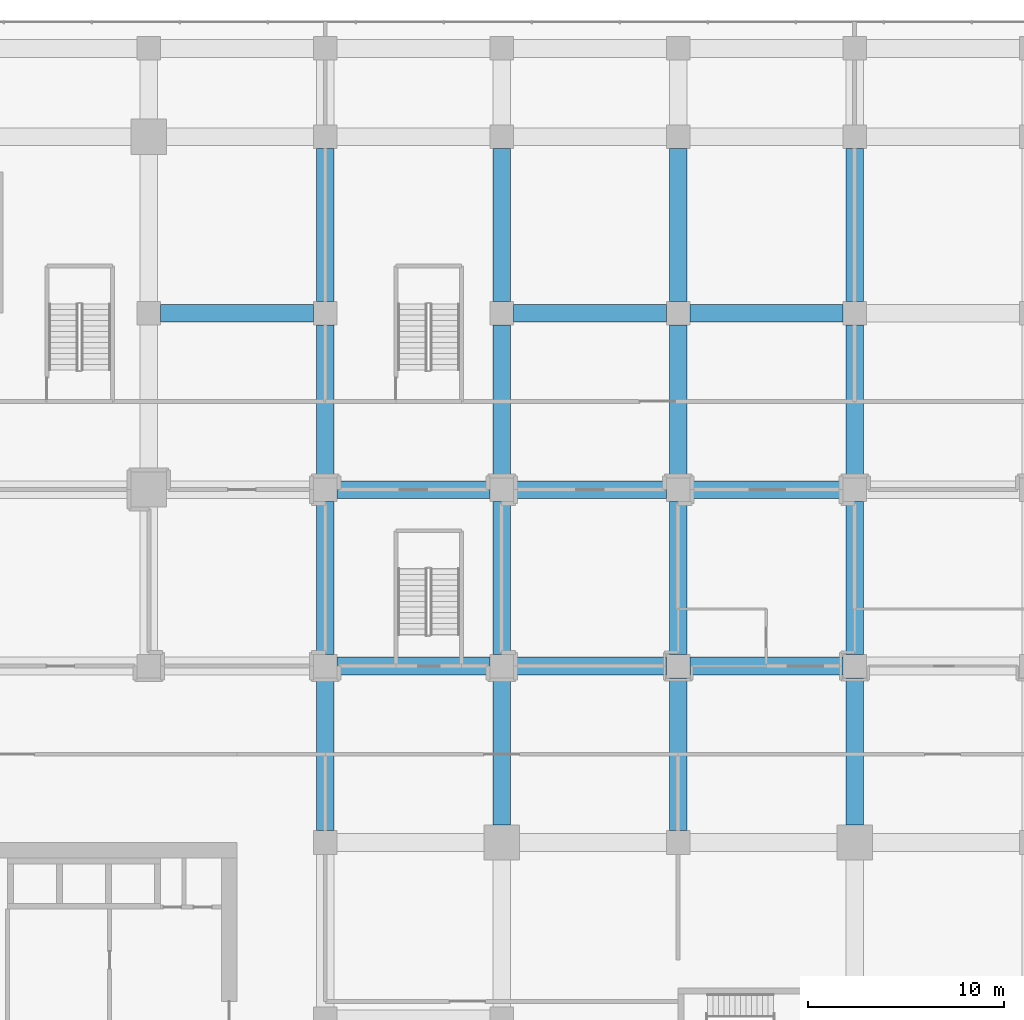
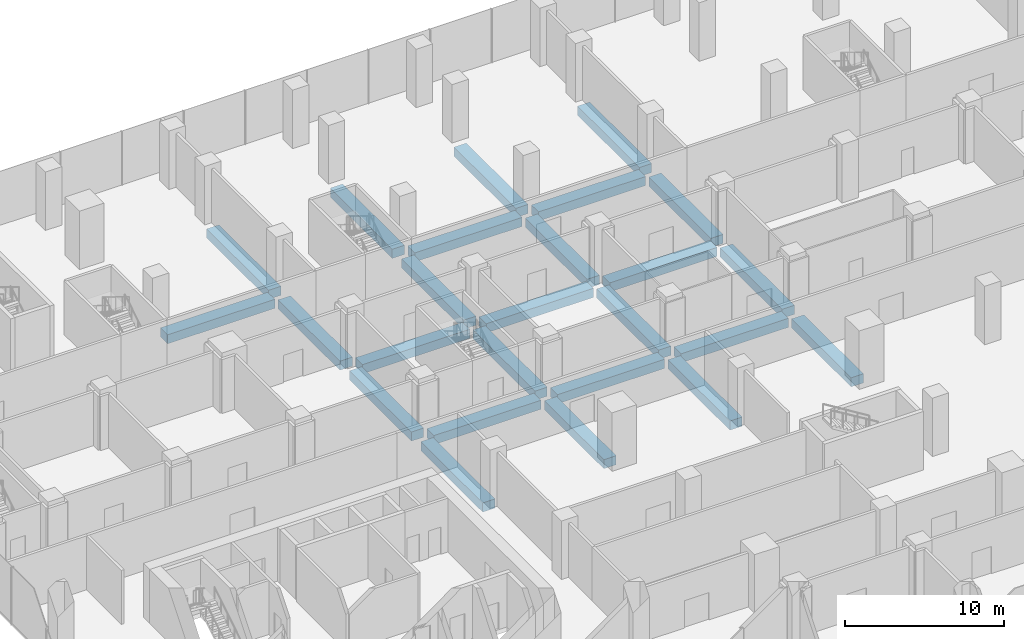
# One storey, part 12 of 43: 25 beams.
"""IFC4 building model written with IfcOpenShell, lengths in metres."""

import ifcopenshell
import ifcopenshell.guid

model = None  # the IFC model being written
_history = None  # IfcOwnerHistory: only IFC2X3 demands one
_inside = {}  # id of a spatial element -> (the spatial element, [elements in it])
_under = {}  # id of a project, library or spatial element -> (it, [spatial elements below it])
_declared = {}  # id of a project -> (the project, [libraries it declares])
_typed = {}  # id of a type object -> (the type object, [elements of that type])
_made_of = {}  # id of a material, layer set ... -> (it, [elements and type objects made of it])


def new_model(schema):
    """Start an empty IFC model of exactly this schema.

    Asked for "IFC4X3", IfcOpenShell would pick the latest addendum, in which some entities
    have other attributes; the version numbers below select the first issue.
    IFC2X3 requires an IfcOwnerHistory on every rooted entity: one is made here for all.
    """
    global model, _history
    if schema == "IFC4X3":
        model = ifcopenshell.file(schema_version=(4, 3, 0, 0))
    else:
        model = ifcopenshell.file(schema=schema)
    _inside.clear()
    _under.clear()
    _declared.clear()
    _typed.clear()
    _made_of.clear()
    _history = None
    if model.schema == "IFC2X3":
        org = make("IfcOrganization", Name="unknown")
        user = make(
            "IfcPersonAndOrganization",
            ThePerson=make("IfcPerson", FamilyName="unknown"),
            TheOrganization=org,
        )
        app = make(
            "IfcApplication",
            ApplicationDeveloper=org,
            Version="unknown",
            ApplicationFullName="unknown",
            ApplicationIdentifier="unknown",
        )
        _history = make(
            "IfcOwnerHistory",
            OwningUser=user,
            OwningApplication=app,
            ChangeAction="ADDED",
            CreationDate=0,
        )
    return model


def make(cls, **values):
    """One entity of the class cls with the attributes given. An attribute that is None is left unset."""
    return model.create_entity(
        cls, **{name: value for name, value in values.items() if value is not None}
    )


def rooted(cls, **values):
    """An entity with a GlobalId (a new one), such as an element, a storey or a relation."""
    return make(cls, GlobalId=ifcopenshell.guid.new(), OwnerHistory=_history, **values)


def si_unit(unit_type, name, prefix=None):
    """IfcSIUnit, for example si_unit("LENGTHUNIT", "METRE", prefix="MILLI")."""
    return make("IfcSIUnit", UnitType=unit_type, Prefix=prefix, Name=name)


def assignment(units):
    """IfcUnitAssignment: the units of a project."""
    return None if units is None else make("IfcUnitAssignment", Units=units)


def point(xyz):
    """IfcCartesianPoint."""
    return None if xyz is None else make("IfcCartesianPoint", Coordinates=xyz)


def direction(xyz):
    """IfcDirection."""
    return None if xyz is None else make("IfcDirection", DirectionRatios=xyz)


def frame(location, z_axis=None, x_axis=None):
    """IfcAxis2Placement3D, a coordinate frame: its origin and axes. An axis left out is left unset."""
    return make(
        "IfcAxis2Placement3D",
        Location=point(location),
        Axis=direction(z_axis),
        RefDirection=direction(x_axis),
    )


def frame_2d(location, x_axis=None):
    """IfcAxis2Placement2D, a coordinate frame in the plane: its origin and x axis."""
    return make(
        "IfcAxis2Placement2D", Location=point(location), RefDirection=direction(x_axis)
    )


def origin():
    """The frame at (0, 0, 0) with its axes left unset."""
    return frame((0.0, 0.0, 0.0))


def origin_2d():
    """The frame at (0, 0) in the plane with its x axis left unset."""
    return frame_2d((0.0, 0.0))


def place(relative_to, where):
    """IfcLocalPlacement: puts the frame where relative to a parent placement (None: the world)."""
    return make(
        "IfcLocalPlacement", PlacementRelTo=relative_to, RelativePlacement=where
    )


def context(
    kind, dimensions, precision=None, world=None, true_north=None, identifier=None
):
    """IfcGeometricRepresentationContext, for example the 3D "Model" context."""
    return make(
        "IfcGeometricRepresentationContext",
        ContextIdentifier=identifier,
        ContextType=kind,
        CoordinateSpaceDimension=dimensions,
        Precision=precision,
        WorldCoordinateSystem=world,
        TrueNorth=true_north,
    )


def subcontext(parent, identifier, kind, view, scale=None):
    """IfcGeometricRepresentationSubContext, for example "Body" below "Model"."""
    return make(
        "IfcGeometricRepresentationSubContext",
        ContextIdentifier=identifier,
        ContextType=kind,
        ParentContext=parent,
        TargetScale=scale,
        TargetView=view,
    )


def project(units=None, contexts=None):
    """IfcProject with its units and contexts."""
    return rooted(
        "IfcProject",
        Name="project",
        RepresentationContexts=contexts,
        UnitsInContext=assignment(units),
    )


def spatial(cls, under=None, at=None, **own):
    """A site, building, storey or space (cls), placed at a placement, below another one or the project."""
    s = rooted(cls, ObjectPlacement=at, **own)
    if under is not None:
        _under.setdefault(under.id(), (under, []))[1].append(s)
    return s


def profile(cls, at=None, kind="AREA", **sizes):
    """A parametric profile (cls). Its sizes go by their IFC names, for example OverallWidth=200.0."""
    return make(cls, ProfileType=kind, Position=at, **sizes)


def rectangle(**sizes):
    """IfcRectangleProfileDef."""
    return profile("IfcRectangleProfileDef", **sizes)


def extrude(swept, where, along, depth):
    """IfcExtrudedAreaSolid: the profile swept, set in the frame where, extruded along a direction by depth."""
    return make(
        "IfcExtrudedAreaSolid",
        SweptArea=swept,
        Position=where,
        ExtrudedDirection=direction(along),
        Depth=depth,
    )


def shape(context_of_items, identifier, shape_type, items):
    """IfcShapeRepresentation: the items that make up one representation, for example the "Body"."""
    return make(
        "IfcShapeRepresentation",
        ContextOfItems=context_of_items,
        RepresentationIdentifier=identifier,
        RepresentationType=shape_type,
        Items=items,
    )


def material(Name=None, Category=None):
    """IfcMaterial."""
    return make("IfcMaterial", Name=Name, Category=Category)


def material_profile(
    of_material, cross_section, Name=None, Category=None, Priority=None
):
    """IfcMaterialProfile: a cross section and its material."""
    return make(
        "IfcMaterialProfile",
        Name=Name,
        Material=of_material,
        Profile=cross_section,
        Priority=Priority,
        Category=Category,
    )


def profile_set(profiles, Name=None, composite=None):
    """IfcMaterialProfileSet."""
    return make(
        "IfcMaterialProfileSet",
        Name=Name,
        MaterialProfiles=profiles,
        CompositeProfile=composite,
    )


def made_of(thing, what):
    """Note that an element or type object is made of a material, layer set ...; save() writes the relation."""
    if what is not None:
        _made_of.setdefault(what.id(), (what, []))[1].append(thing)
    return thing


def type_object(cls, material=None, **own):
    """A type object (cls), such as IfcWallType, which elements share."""
    return made_of(rooted(cls, **own), material)


def element(
    cls,
    number,
    at=None,
    inside=None,
    cuts=None,
    type_object=None,
    material=None,
    context=None,
    identifier="Body",
    shape_type=None,
    held_by="IfcProductDefinitionShape",
    body=None,
    shapes=None,
    **own,
):
    """One element of the class cls, such as IfcWall. Its Tag is "e" and its number.

    at: its placement. inside: the storey or other place that contains it. cuts: it is an
    opening in that element (IfcRelVoidsElement). A single representation is given by context,
    identifier, shape_type and body (its items); several are given by shapes. held_by: the class
    of the entity that holds the representations. save() writes the other relations.
    """
    e = rooted(cls, Tag="e%d" % number, ObjectPlacement=at, **own)
    if body is not None:
        shapes = [shape(context, identifier, shape_type, body)]
    if shapes is not None:
        e.Representation = make(held_by, Representations=shapes)
    if inside is not None:
        _inside.setdefault(inside.id(), (inside, []))[1].append(e)
    if cuts is not None:
        rooted(
            "IfcRelVoidsElement", RelatingBuildingElement=cuts, RelatedOpeningElement=e
        )
    if type_object is not None:
        _typed.setdefault(type_object.id(), (type_object, []))[1].append(e)
    return made_of(e, material)


def aggregate(whole, parts):
    """IfcRelAggregates: a whole, such as a stair, and the parts it consists of."""
    return rooted("IfcRelAggregates", RelatingObject=whole, RelatedObjects=parts)


def save(model, path):
    """Write the relations noted so far, then the file.

    IfcRelAggregates (storeys below a building ...), IfcRelContainedInSpatialStructure (elements
    in a storey), IfcRelDefinesByType, IfcRelAssociatesMaterial and IfcRelDeclares: one each for
    every whole, place, type object, material and project.
    """
    for whole, parts in _under.values():
        aggregate(whole, parts)
    for where, things in _inside.values():
        rooted(
            "IfcRelContainedInSpatialStructure",
            RelatedElements=things,
            RelatingStructure=where,
        )
    for kind, things in _typed.values():
        rooted("IfcRelDefinesByType", RelatedObjects=things, RelatingType=kind)
    for what, things in _made_of.values():
        rooted("IfcRelAssociatesMaterial", RelatedObjects=things, RelatingMaterial=what)
    for by, libraries in _declared.values():
        rooted("IfcRelDeclares", RelatingContext=by, RelatedDefinitions=libraries)
    model.write(path)


model = new_model("IFC4")

# Units and contexts
model_context = context("Model", 3, precision=1e-05, world=origin(), true_north=direction((0.0, 1.0)))
body_context = subcontext(model_context, "Body", "Model", "MODEL_VIEW")
ifc_project = project(units=[si_unit("LENGTHUNIT", "METRE"), si_unit("AREAUNIT", "SQUARE_METRE"), si_unit("VOLUMEUNIT", "CUBIC_METRE"), si_unit("PLANEANGLEUNIT", "RADIAN"), si_unit("MASSUNIT", "GRAM", prefix="KILO")], contexts=[model_context])

# Site, building, storey
site_placement = place(None, origin())
site = spatial("IfcSite", under=ifc_project, at=site_placement, CompositionType="ELEMENT")
building_placement = place(site_placement, origin())
building = spatial("IfcBuilding", under=site, at=building_placement, Name="Plateau Cross Towers", CompositionType="ELEMENT")
storey_placement = place(building_placement, frame((0.0, 0.0, 17.300048828125)))
storey = spatial("IfcBuildingStorey", under=building, at=storey_placement, Name="L03", CompositionType="ELEMENT", Elevation=17.300048828125)

# Beams
ifc_material = material(Name="Concrete C50/60", Category="concrete")
ifc_material_profile = material_profile(ifc_material, rectangle(XDim=0.89990234375, YDim=0.699951171875, at=origin_2d()), Name="RC 900x700")
ifc_profile_set = profile_set([ifc_material_profile], Name="Concrete C50/60")
beam_type = type_object("IfcBeamType", Name="Podium band beam RC 900x700", PredefinedType="BEAM", material=ifc_profile_set)
for number, where, z_axis, x_axis, name in (
    (1, (27.60009765625, 27.0, -0.699951171875), (1.0, 0.0, 0.0), (0.0, 1.0, 0.0), "PB36@L03"),
    (2, (36.60009765625, 27.0, -0.699951171875), (1.0, 0.0, 0.0), (0.0, 1.0, 0.0), "PB37@L03"),
    (3, (45.60009765625, 27.0, -0.699951171875), (1.0, 0.0, 0.0), (0.0, 1.0, 0.0), "PB38@L03"),
    (4, (27.60009765625, 36.0, -0.699951171875), (1.0, 0.0, 0.0), (0.0, 1.0, 0.0), "PB49@L03"),
    (5, (36.60009765625, 36.0, -0.699951171875), (1.0, 0.0, 0.0), (0.0, 1.0, 0.0), "PB50@L03"),
    (6, (45.60009765625, 36.0, -0.699951171875), (1.0, 0.0, 0.0), (0.0, 1.0, 0.0), "PB51@L03"),
    (7, (18.60009765625, 45.0, -0.699951171875), (1.0, 0.0, 0.0), (0.0, 1.0, 0.0), "PB59@L03"),
    (8, (36.60009765625, 45.0, -0.699951171875), (1.0, 0.0, 0.0), (0.0, 1.0, 0.0), "PB60@L03"),
    (9, (45.60009765625, 45.0, -0.699951171875), (1.0, 0.0, 0.0), (0.0, 1.0, 0.0), "PB61@L03"),
    (10, (27.0, 18.60009765625, -0.699951171875), (0.0, 1.0, 0.0), (-1.0, 0.0, 0.0), "PB118@L03"),
    (11, (27.0, 27.60009765625, -0.699951171875), (0.0, 1.0, 0.0), (-1.0, 0.0, 0.0), "PB119@L03"),
    (12, (27.0, 36.60009765625, -0.699951171875), (0.0, 1.0, 0.0), (-1.0, 0.0, 0.0), "PB120@L03"),
    (13, (27.0, 45.60009765625, -0.699951171875), (0.0, 1.0, 0.0), (-1.0, 0.0, 0.0), "PB121@L03"),
):
    element("IfcBeam", number, at=place(storey_placement, frame(where, z_axis=z_axis, x_axis=x_axis)), inside=storey, type_object=beam_type, Name=name, PredefinedType="BEAM", context=body_context, shape_type="SweptSolid", body=[
        extrude(rectangle(XDim=0.89990234375, YDim=0.699951171875, at=origin_2d()), origin(), (0.0, 0.0, 1.0), 7.7998046875),
    ])
beam_1_placement = place(storey_placement, frame((36.0, 18.89990234375, -0.699951171875), z_axis=(0.0, 1.0, 0.0), x_axis=(-1.0, 0.0, 0.0)))
element("IfcBeam", 14, at=beam_1_placement, inside=storey, type_object=beam_type, Name="PB127@L03", PredefinedType="BEAM", context=body_context, shape_type="SweptSolid", body=[
    extrude(rectangle(XDim=0.89990234375, YDim=0.699951171875, at=origin_2d()), origin(), (0.0, 0.0, 1.0), 7.5),
])
for number, where, z_axis, x_axis, name in (
    (15, (36.0, 27.60009765625, -0.699951171875), (0.0, 1.0, 0.0), (-1.0, 0.0, 0.0), "PB128@L03"),
    (16, (36.0, 36.60009765625, -0.699951171875), (0.0, 1.0, 0.0), (-1.0, 0.0, 0.0), "PB129@L03"),
    (17, (36.0, 45.60009765625, -0.699951171875), (0.0, 1.0, 0.0), (-1.0, 0.0, 0.0), "PB130@L03"),
    (18, (45.0, 18.60009765625, -0.699951171875), (0.0, 1.0, 0.0), (-1.0, 0.0, 0.0), "PB134@L03"),
    (19, (45.0, 27.60009765625, -0.699951171875), (0.0, 1.0, 0.0), (-1.0, 0.0, 0.0), "PB135@L03"),
    (20, (45.0, 36.60009765625, -0.699951171875), (0.0, 1.0, 0.0), (-1.0, 0.0, 0.0), "PB136@L03"),
    (21, (45.0, 45.60009765625, -0.699951171875), (0.0, 1.0, 0.0), (-1.0, 0.0, 0.0), "PB137@L03"),
):
    element("IfcBeam", number, at=place(storey_placement, frame(where, z_axis=z_axis, x_axis=x_axis)), inside=storey, type_object=beam_type, Name=name, PredefinedType="BEAM", context=body_context, shape_type="SweptSolid", body=[
        extrude(rectangle(XDim=0.89990234375, YDim=0.699951171875, at=origin_2d()), origin(), (0.0, 0.0, 1.0), 7.7998046875),
    ])
beam_2_placement = place(storey_placement, frame((54.0, 18.89990234375, -0.699951171875), z_axis=(0.0, 1.0, 0.0), x_axis=(-1.0, 0.0, 0.0)))
element("IfcBeam", 22, at=beam_2_placement, inside=storey, type_object=beam_type, Name="PB143@L03", PredefinedType="BEAM", context=body_context, shape_type="SweptSolid", body=[
    extrude(rectangle(XDim=0.89990234375, YDim=0.699951171875, at=origin_2d()), origin(), (0.0, 0.0, 1.0), 7.5),
])
for number, where, z_axis, x_axis, name in (
    (23, (54.0, 27.60009765625, -0.699951171875), (0.0, 1.0, 0.0), (-1.0, 0.0, 0.0), "PB144@L03"),
    (24, (54.0, 36.60009765625, -0.699951171875), (0.0, 1.0, 0.0), (-1.0, 0.0, 0.0), "PB145@L03"),
    (25, (54.0, 45.60009765625, -0.699951171875), (0.0, 1.0, 0.0), (-1.0, 0.0, 0.0), "PB146@L03"),
):
    element("IfcBeam", number, at=place(storey_placement, frame(where, z_axis=z_axis, x_axis=x_axis)), inside=storey, type_object=beam_type, Name=name, PredefinedType="BEAM", context=body_context, shape_type="SweptSolid", body=[
        extrude(rectangle(XDim=0.89990234375, YDim=0.699951171875, at=origin_2d()), origin(), (0.0, 0.0, 1.0), 7.7998046875),
    ])

save(model, "model.ifc")
